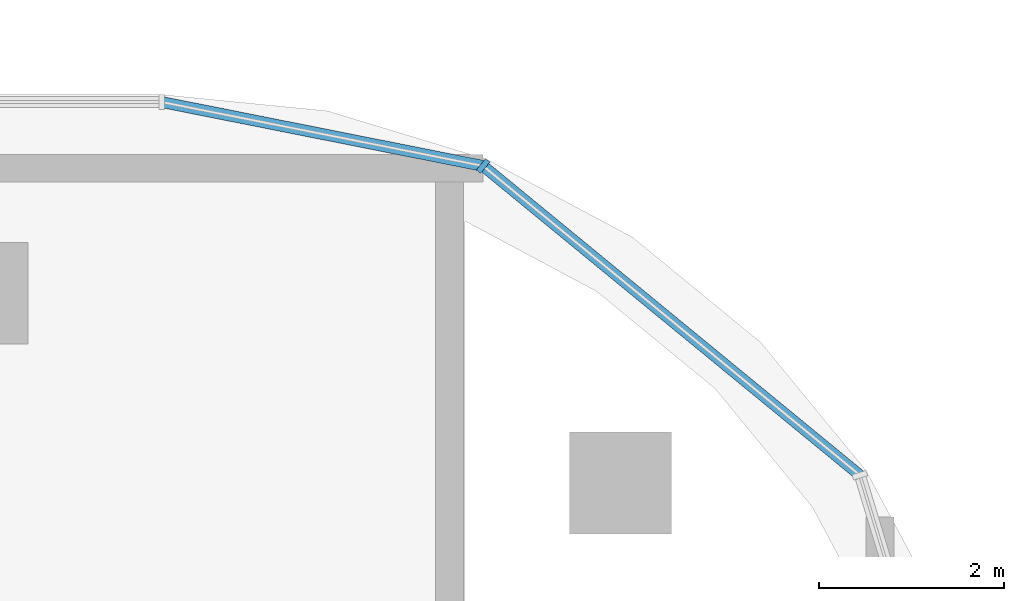
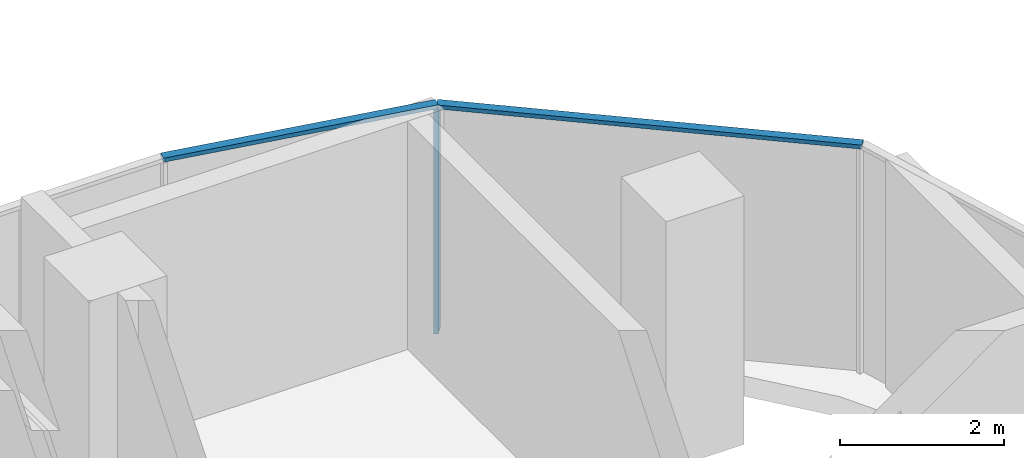
# One storey, part 5 of 23: 3 members, 1 element without a shape of its own.
"""IFC4 building model written with IfcOpenShell, lengths in metres."""

from ifc_helpers import new_model, si_unit, direction, frame, origin, origin_2d, place, context, subcontext, project, spatial, rectangle, extrude, material, material_profile, profile_set, type_object, element, aggregate, save


model = new_model("IFC4")

# Units and contexts
model_context = context("Model", 3, precision=1e-05, world=origin(), true_north=direction((0.0, 1.0)))
body_context = subcontext(model_context, "Body", "Model", "MODEL_VIEW")
ifc_project = project(units=[si_unit("LENGTHUNIT", "METRE"), si_unit("AREAUNIT", "SQUARE_METRE"), si_unit("VOLUMEUNIT", "CUBIC_METRE"), si_unit("PLANEANGLEUNIT", "RADIAN"), si_unit("MASSUNIT", "GRAM", prefix="KILO")], contexts=[model_context])

# Site, building, storey
site_placement = place(None, origin())
site = spatial("IfcSite", under=ifc_project, at=site_placement, CompositionType="ELEMENT")
building_placement = place(site_placement, origin())
building = spatial("IfcBuilding", under=site, at=building_placement, Name="Ogive Portal Towers", CompositionType="ELEMENT")
storey_placement = place(building_placement, frame((0.0, 0.0, 175.5)))
storey = spatial("IfcBuildingStorey", under=building, at=storey_placement, Name="L43", CompositionType="ELEMENT", Elevation=175.5)

# Curtain wall, members
ifc_material_1 = material(Name="Glass, clear low-iron insulated glazing", Category="glass")
curtain_wall_type = type_object("IfcCurtainWallType", Name="CW FRONT RIBBON 4500", PredefinedType="NOTDEFINED", material=ifc_material_1)
curtain_wall_placement = place(storey_placement, origin())
curtain_wall = element("IfcCurtainWall", 1, at=curtain_wall_placement, inside=storey, type_object=curtain_wall_type, Name="A:L43:f31:cwa", PredefinedType="NOTDEFINED")
ifc_material_2 = material(Name="Aluminium 6063 anodised", Category="aluminium")
ifc_material_profile_1 = material_profile(ifc_material_2, rectangle(XDim=0.159912109375, YDim=0.06005859375, at=origin_2d()), Name="AL 60x160")
ifc_profile_set_1 = profile_set([ifc_material_profile_1], Name="Aluminium 6063 anodised")
member_type_1 = type_object("IfcMemberType", Name="CW MULLION 60x160", PredefinedType="MULLION", material=ifc_profile_set_1)
member_1_placement = place(storey_placement, frame((90.96435546875, 40.874267578125, 0.0), z_axis=(0.0, 0.0, 1.0), x_axis=(-0.634393284164, -0.773010453363, 0.0)))
member_1 = element("IfcMember", 2, at=member_1_placement, type_object=member_type_1, Name="mullion", PredefinedType="MULLION", context=body_context, shape_type="SweptSolid", body=[
    extrude(rectangle(XDim=0.159912109375, YDim=0.06005859375, at=origin_2d()), origin(), (0.0, 0.0, 1.0), 3.340087890625),
])
ifc_material_profile_2 = material_profile(ifc_material_2, rectangle(XDim=0.1201171875, YDim=0.06005859375, at=origin_2d()), Name="AL 120x60")
ifc_profile_set_2 = profile_set([ifc_material_profile_2], Name="Aluminium 6063 anodised")
member_type_2 = type_object("IfcMemberType", Name="CW TRANSOM 60x120", PredefinedType="USERDEFINED", material=ifc_profile_set_2)
member_2_placement = place(storey_placement, frame((95.0341796875, 37.5341796875, 3.3701171875), z_axis=(-0.773003982505, 0.634401168845, 0.0), x_axis=(-0.634401168845, -0.773003982505, 0.0)))
member_2 = element("IfcMember", 3, at=member_2_placement, type_object=member_type_2, Name="transom", ObjectType="TRANSOM", PredefinedType="USERDEFINED", context=body_context, shape_type="SweptSolid", body=[
    extrude(rectangle(XDim=0.1201171875, YDim=0.06005859375, at=origin_2d()), origin(), (0.0, 0.0, 1.0), 5.264892578125),
])
member_3_placement = place(storey_placement, frame((90.96435546875, 40.874267578125, 3.3701171875), z_axis=(-0.980784379, 0.195094853621, 0.0), x_axis=(-0.195094853621, -0.980784379, 0.0)))
member_3 = element("IfcMember", 4, at=member_3_placement, type_object=member_type_2, Name="transom", ObjectType="TRANSOM", PredefinedType="USERDEFINED", context=body_context, shape_type="SweptSolid", body=[
    extrude(rectangle(XDim=0.1201171875, YDim=0.06005859375, at=origin_2d()), origin(), (0.0, 0.0, 1.0), 3.540283203125),
])
aggregate(curtain_wall, [member_2, member_3, member_1])

save(model, "model.ifc")
